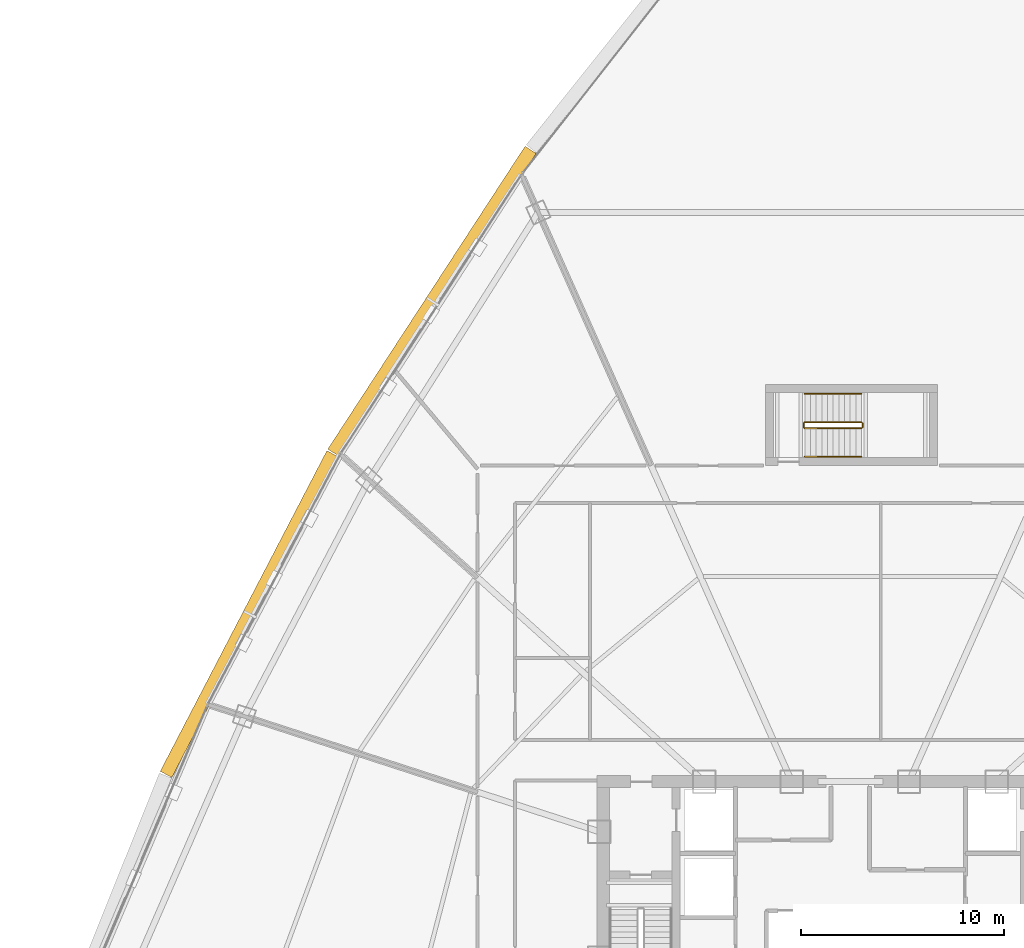
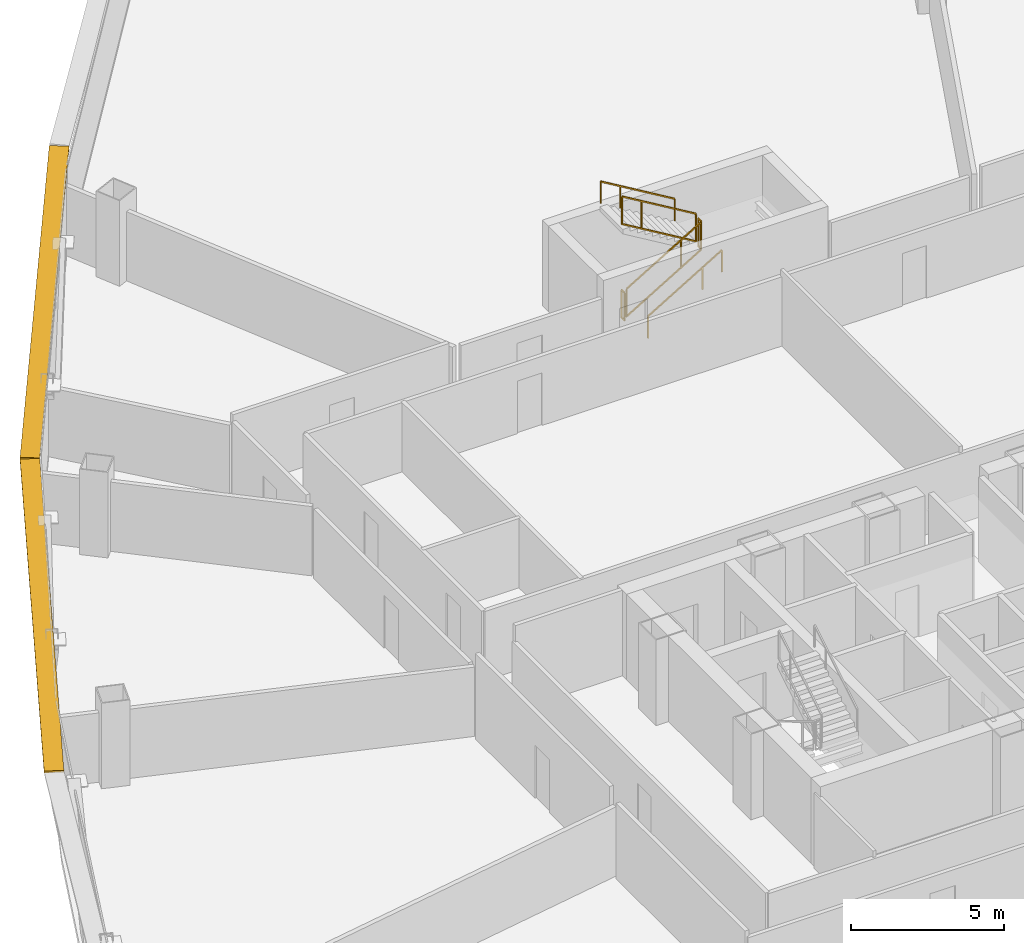
# One storey, part 41 of 42: 6 railings, 2 shading devices.
"""IFC4 building model written with IfcOpenShell, lengths in metres."""

from ifc_helpers import new_model, si_unit, direction, frame, origin, origin_2d, place, context, subcontext, project, spatial, rectangle, extrude, source, transform, mapped, material, layer, layer_set, type_object, element, save


model = new_model("IFC4")

# Units and contexts
model_context = context("Model", 3, precision=1e-05, world=origin(), true_north=direction((0.0, 1.0)))
body_context = subcontext(model_context, "Body", "Model", "MODEL_VIEW")
ifc_project = project(units=[si_unit("LENGTHUNIT", "METRE"), si_unit("AREAUNIT", "SQUARE_METRE"), si_unit("VOLUMEUNIT", "CUBIC_METRE"), si_unit("PLANEANGLEUNIT", "RADIAN"), si_unit("MASSUNIT", "GRAM", prefix="KILO"), si_unit("THERMODYNAMICTEMPERATUREUNIT", "KELVIN"), si_unit("POWERUNIT", "WATT")], contexts=[model_context])

# Site, building, storey
site_placement = place(None, origin())
site = spatial("IfcSite", under=ifc_project, at=site_placement, CompositionType="ELEMENT")
building_placement = place(site_placement, origin())
building = spatial("IfcBuilding", under=site, at=building_placement, Name="Yunzhuo Pagoda Commons", CompositionType="ELEMENT")
storey_placement = place(building_placement, frame((0.0, 0.0, 137.18994140625)))
storey = spatial("IfcBuildingStorey", under=building, at=storey_placement, Name="L34", CompositionType="ELEMENT", Elevation=137.18994140625)

# Railings
ifc_material = material(Name="Anodized aluminium 6063-T6", Category="aluminium")
railing_type_1 = type_object("IfcRailingType", Name="GR-ST3 North Well Guardrail 1155", PredefinedType="GUARDRAIL", material=ifc_material)
railing_1_placement = place(storey_placement, frame((45.75, 57.64990234375, 0.167236328125)))
element("IfcRailing", 1, at=railing_1_placement, inside=storey, type_object=railing_type_1, Name="L34 ST3 stair guard 1", PredefinedType="GUARDRAIL", context=body_context, shape_type="SweptSolid", body=[
    extrude(rectangle(XDim=0.048095703125, YDim=0.048095703125, at=origin_2d()), frame((0.0, 0.0, 1.1259765625), z_axis=(0.858462256164, 0.0, 0.512876744201), x_axis=(0.0, 1.0, 0.0)), (0.0, 0.0, 1.0), 3.26171875),
    extrude(rectangle(XDim=0.048095703125, YDim=0.048095703125, at=origin_2d()), frame((0.0, 0.0, 0.02392578125), z_axis=(0.858462256164, 0.0, 0.512876744201), x_axis=(0.0, 1.0, 0.0)), (0.0, 0.0, 1.0), 3.26171875),
    extrude(rectangle(XDim=0.0419921875, YDim=0.0419921875, at=origin_2d()), origin(), (0.0, 0.0, 1.0), 1.101806640625),
    extrude(rectangle(XDim=0.0419921875, YDim=0.0419921875, at=origin_2d()), frame((2.060302734375, 0.0, 1.23095703125)), (0.0, 0.0, 1.0), 1.101806640625),
    extrude(rectangle(XDim=0.0419921875, YDim=0.0419921875, at=origin_2d()), frame((2.800048828125, 0.0, 1.6728515625)), (0.0, 0.0, 1.0), 1.101806640625),
])
railing_2_placement = place(storey_placement, frame((48.60009765625, 57.699951171875, 1.840087890625)))
element("IfcRailing", 2, at=railing_2_placement, inside=storey, type_object=railing_type_1, Name="L34 ST3 stair guard 2", PredefinedType="GUARDRAIL", context=body_context, shape_type="SweptSolid", body=[
    extrude(rectangle(XDim=0.048095703125, YDim=0.048095703125, at=origin_2d()), frame((0.0, 0.0, 1.1259765625), z_axis=(0.0, 1.0, 0.0), x_axis=(-1.0, 0.0, 0.0)), (0.0, 0.0, 1.0), 0.199951171875),
    extrude(rectangle(XDim=0.048095703125, YDim=0.048095703125, at=origin_2d()), frame((0.0, 0.0, 0.02392578125), z_axis=(0.0, 1.0, 0.0), x_axis=(-1.0, 0.0, 0.0)), (0.0, 0.0, 1.0), 0.199951171875),
    extrude(rectangle(XDim=0.0419921875, YDim=0.0419921875, at=origin_2d()), origin(), (0.0, 0.0, 1.0), 1.101806640625),
    extrude(rectangle(XDim=0.0419921875, YDim=0.0419921875, at=origin_2d()), frame((0.0, 0.199951171875, 0.0)), (0.0, 0.0, 1.0), 1.101806640625),
])
railing_3_placement = place(storey_placement, frame((48.550048828125, 57.949951171875, 2.00732421875)))
element("IfcRailing", 3, at=railing_3_placement, inside=storey, type_object=railing_type_1, Name="L34 ST3 stair guard 3", PredefinedType="GUARDRAIL", context=body_context, shape_type="SweptSolid", body=[
    extrude(rectangle(XDim=0.048095703125, YDim=0.048095703125, at=origin_2d()), frame((0.0, 0.0, 1.1259765625), z_axis=(-0.858462256164, 0.0, 0.512876744201), x_axis=(0.0, -1.0, 0.0)), (0.0, 0.0, 1.0), 3.26171875),
    extrude(rectangle(XDim=0.048095703125, YDim=0.048095703125, at=origin_2d()), frame((0.0, 0.0, 0.02392578125), z_axis=(-0.858462256164, 0.0, 0.512876744201), x_axis=(0.0, -1.0, 0.0)), (0.0, 0.0, 1.0), 3.26171875),
    extrude(rectangle(XDim=0.0419921875, YDim=0.0419921875, at=origin_2d()), origin(), (0.0, 0.0, 1.0), 1.101806640625),
    extrude(rectangle(XDim=0.0419921875, YDim=0.0419921875, at=origin_2d()), frame((-2.060302734375, 0.0, 1.23095703125)), (0.0, 0.0, 1.0), 1.101806640625),
    extrude(rectangle(XDim=0.0419921875, YDim=0.0419921875, at=origin_2d()), frame((-2.800048828125, 0.0, 1.6728515625)), (0.0, 0.0, 1.0), 1.101806640625),
])
railing_4_placement = place(storey_placement, frame((45.699951171875, 57.699951171875, 0.0)))
element("IfcRailing", 4, at=railing_4_placement, inside=storey, type_object=railing_type_1, Name="L34 ST3 stair guard 4", PredefinedType="GUARDRAIL", context=body_context, shape_type="SweptSolid", body=[
    extrude(rectangle(XDim=0.048095703125, YDim=0.048095703125, at=origin_2d()), frame((0.0, 0.0, 1.1259765625), z_axis=(0.0, 1.0, 0.0), x_axis=(-1.0, 0.0, 0.0)), (0.0, 0.0, 1.0), 0.199951171875),
    extrude(rectangle(XDim=0.048095703125, YDim=0.048095703125, at=origin_2d()), frame((0.0, 0.0, 0.02392578125), z_axis=(0.0, 1.0, 0.0), x_axis=(-1.0, 0.0, 0.0)), (0.0, 0.0, 1.0), 0.199951171875),
    extrude(rectangle(XDim=0.0419921875, YDim=0.0419921875, at=origin_2d()), origin(), (0.0, 0.0, 1.0), 1.101806640625),
    extrude(rectangle(XDim=0.0419921875, YDim=0.0419921875, at=origin_2d()), frame((0.0, 0.199951171875, 0.0)), (0.0, 0.0, 1.0), 1.101806640625),
])
railing_type_2 = type_object("IfcRailingType", Name="HR-ST3 North Stair Handrail 900", PredefinedType="HANDRAIL", material=ifc_material)
railing_5_placement = place(storey_placement, frame((45.75, 56.25, 0.167236328125)))
element("IfcRailing", 5, at=railing_5_placement, inside=storey, type_object=railing_type_2, Name="L34 ST3 stair handrail 1", PredefinedType="HANDRAIL", context=body_context, shape_type="SweptSolid", body=[
    extrude(rectangle(XDim=0.048095703125, YDim=0.048095703125, at=origin_2d()), frame((0.0, 0.0, 0.8759765625), z_axis=(0.858462256164, 0.0, 0.512876744201), x_axis=(0.0, 1.0, 0.0)), (0.0, 0.0, 1.0), 3.26171875),
    extrude(rectangle(XDim=0.0419921875, YDim=0.0419921875, at=origin_2d()), origin(), (0.0, 0.0, 1.0), 0.851806640625),
    extrude(rectangle(XDim=0.0419921875, YDim=0.0419921875, at=origin_2d()), frame((2.060302734375, 0.0, 1.23095703125)), (0.0, 0.0, 1.0), 0.851806640625),
    extrude(rectangle(XDim=0.0419921875, YDim=0.0419921875, at=origin_2d()), frame((2.800048828125, 0.0, 1.6728515625)), (0.0, 0.0, 1.0), 0.851806640625),
])
railing_6_placement = place(storey_placement, frame((48.550048828125, 59.35009765625, 2.00732421875)))
element("IfcRailing", 6, at=railing_6_placement, inside=storey, type_object=railing_type_2, Name="L34 ST3 stair handrail 2", PredefinedType="HANDRAIL", context=body_context, shape_type="SweptSolid", body=[
    extrude(rectangle(XDim=0.048095703125, YDim=0.048095703125, at=origin_2d()), frame((0.0, 0.0, 0.8759765625), z_axis=(-0.858462256164, 0.0, 0.512876744201), x_axis=(0.0, -1.0, 0.0)), (0.0, 0.0, 1.0), 3.26171875),
    extrude(rectangle(XDim=0.0419921875, YDim=0.0419921875, at=origin_2d()), origin(), (0.0, 0.0, 1.0), 0.851806640625),
    extrude(rectangle(XDim=0.0419921875, YDim=0.0419921875, at=origin_2d()), frame((-2.060302734375, 0.0, 1.23095703125)), (0.0, 0.0, 1.0), 0.851806640625),
    extrude(rectangle(XDim=0.0419921875, YDim=0.0419921875, at=origin_2d()), frame((-2.800048828125, 0.0, 1.6728515625)), (0.0, 0.0, 1.0), 0.851806640625),
])

# Shading devices
ifc_layer = layer(ifc_material, 0.080078125)
ifc_layer_set = layer_set([ifc_layer], Name="Anodized aluminium 6063-T6")
shading_device_type = type_object("IfcShadingDeviceType", Name="SH-SUN1 Pagoda Horizontal Sunshade Eave 650", PredefinedType="USERDEFINED", material=ifc_layer_set)
shared_shape = source(origin(), body_context, "Body", "SweptSolid", [
    extrude(rectangle(XDim=17.840087890625, YDim=0.64990234375, at=origin_2d()), origin(), (0.0, 0.0, 1.0), 0.080078125),
])
for number, where, z_axis, x_axis, name in (
    (7, (27.344482421875, 63.915771484375, 3.340087890625), (0.0, 0.0, 1.0), (-0.545838756973, -0.837890238269, 0.0), "L34 horizontal pagoda sunshade eave F3.2"),
    (8, (18.32958984375, 48.472412109375, 3.340087890625), (0.0, 0.0, 1.0), (-0.461206683033, -0.88729273384, 0.0), "L34 horizontal pagoda sunshade eave F3.3"),
):
    element("IfcShadingDevice", number, at=place(storey_placement, frame(where, z_axis=z_axis, x_axis=x_axis)), inside=storey, type_object=shading_device_type, Name=name, ObjectType="SUNSHADE", PredefinedType="USERDEFINED", context=body_context, shape_type="MappedRepresentation", body=[
        mapped(shared_shape, transform((0.0, 0.0, 0.0), scale=1.0)),
    ])

save(model, "model.ifc")
